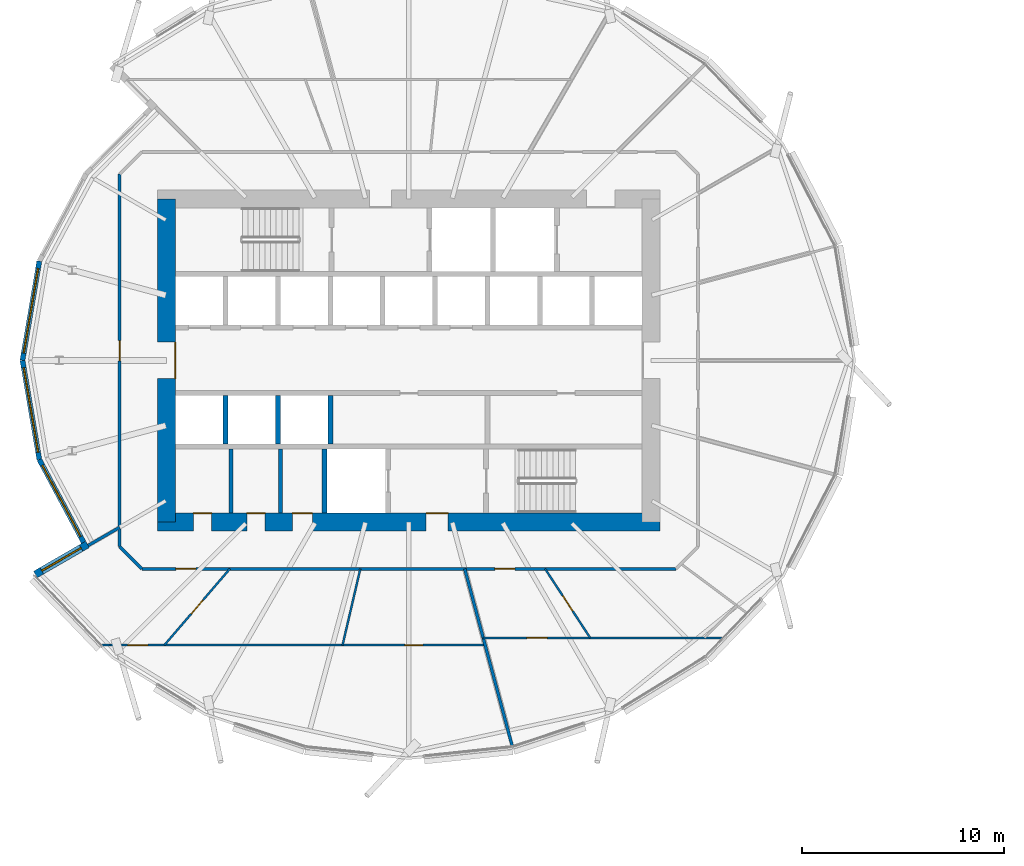
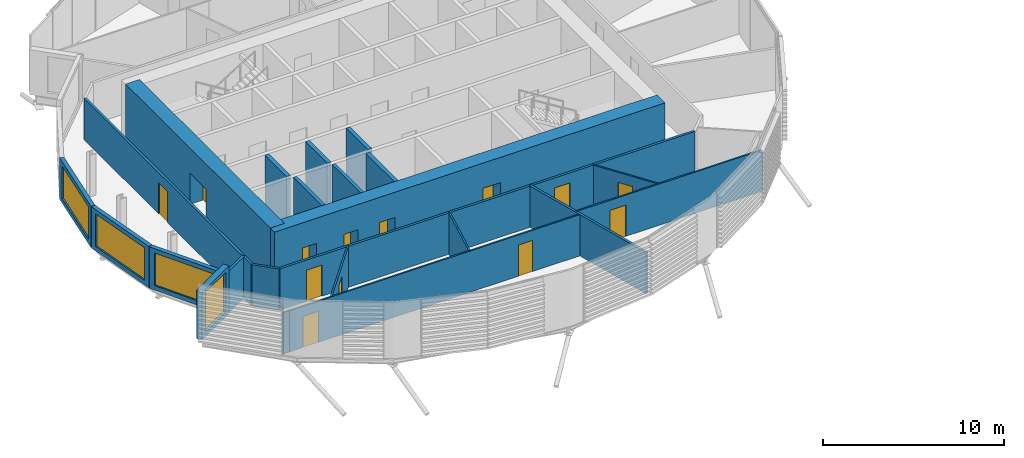
# One storey, part 19 of 36: 23 walls, 13 doors, 4 windows, 17 openings.
"""IFC4 building model written with IfcOpenShell, lengths in metres."""

from ifc_helpers import new_model, si_unit, direction, frame, frame_2d, origin, place, context, subcontext, project, spatial, rectangle, extrude, material, layer, layer_set, type_object, element, fill, save


model = new_model("IFC4")

# Units and contexts
model_context = context("Model", 3, precision=1e-05, world=origin(), true_north=direction((0.0, 1.0)))
body_context = subcontext(model_context, "Body", "Model", "MODEL_VIEW")
ifc_project = project(units=[si_unit("LENGTHUNIT", "METRE"), si_unit("AREAUNIT", "SQUARE_METRE"), si_unit("VOLUMEUNIT", "CUBIC_METRE"), si_unit("PLANEANGLEUNIT", "RADIAN"), si_unit("MASSUNIT", "GRAM", prefix="KILO")], contexts=[model_context])

# Site, building, storey
site_placement = place(None, origin())
site = spatial("IfcSite", under=ifc_project, at=site_placement, CompositionType="ELEMENT")
building_placement = place(site_placement, origin())
building = spatial("IfcBuilding", under=site, at=building_placement, Name="Rimbun Link Towers", CompositionType="ELEMENT")
storey_placement = place(building_placement, frame((0.0, 0.0, 37.60009765625)))
storey = spatial("IfcBuildingStorey", under=building, at=storey_placement, Name="L08", CompositionType="ELEMENT", Elevation=37.60009765625)

# Wall, opening, window
ifc_material_1 = material(Name="Dark enamelled glass spandrel on insulated aluminium backpan", Category="aluminium")
ifc_layer_1 = layer(ifc_material_1, 0.25)
ifc_layer_set_1 = layer_set([ifc_layer_1], Name="CS dark enamelled spandrel wall 250")
wall_type_1 = type_object("IfcWallType", Name="CS dark enamelled spandrel wall 250", PredefinedType="STANDARD", material=ifc_layer_set_1)
wall_1_placement = place(storey_placement, frame((-50.889404296875, 0.0, 0.0), z_axis=(0.0, 0.0, 1.0), x_axis=(0.167281745304, 0.985909132572, 0.0)))
wall_1 = element("IfcWall", 1, at=wall_1_placement, inside=storey, type_object=wall_type_1, Name="Crease spandrel wall", PredefinedType="STANDARD", context=body_context, shape_type="SweptSolid", body=[
    extrude(rectangle(XDim=4.984130859375, YDim=0.25, at=frame_2d((2.4921875, 0.0))), origin(), (0.0, 0.0, 1.0), 2.789306640625),
])
opening_1_placement = place(wall_1_placement, frame((0.366943359375, 0.0, 0.300048828125)))
opening_1 = element("IfcOpeningElement", 2, at=opening_1_placement, cuts=wall_1, Name="Opening WR42H220", PredefinedType="OPENING", context=body_context, shape_type="SweptSolid", body=[
    extrude(rectangle(XDim=4.25, YDim=2.199951171875, at=frame_2d((2.125, 1.10009765625))), frame((0.0, 0.135009765625, 0.0), z_axis=(0.0, -1.0, 0.0), x_axis=(1.0, 0.0, 0.0)), (0.0, 0.0, 1.0), 0.27001953125),
])
ifc_material_2 = material(Name="Aluminium framed fixed window, dark tinted low-e glass", Category="aluminium")
window_type_1 = type_object("IfcWindowType", Name="WR ribbon window 4250X2200", PartitioningType="SINGLE_PANEL", PredefinedType="WINDOW", material=ifc_material_2)
window_1_placement = place(opening_1_placement, origin())
window_1 = element("IfcWindow", 3, at=window_1_placement, inside=storey, type_object=window_type_1, Name="Crease ribbon window", OverallHeight=2.199951171875, OverallWidth=4.25, PartitioningType="SINGLE_PANEL", PredefinedType="WINDOW", context=body_context, shape_type="SweptSolid", body=[
    extrude(rectangle(XDim=4.25, YDim=2.199951171875, at=frame_2d((2.125, 1.10009765625))), frame((0.0, 0.030029296875, 0.0), z_axis=(0.0, -1.0, 0.0), x_axis=(1.0, 0.0, 0.0)), (0.0, 0.0, 1.0), 0.06005859375),
])
fill(opening_1, window_1)

wall_2_placement = place(storey_placement, frame((-50.0556640625, -4.913818359375, 0.0), z_axis=(0.0, 0.0, 1.0), x_axis=(-0.167281745304, 0.985909132572, 0.0)))
wall_2 = element("IfcWall", 4, at=wall_2_placement, inside=storey, type_object=wall_type_1, Name="Crease spandrel wall", PredefinedType="STANDARD", context=body_context, shape_type="SweptSolid", body=[
    extrude(rectangle(XDim=4.984130859375, YDim=0.25, at=frame_2d((2.4921875, 0.0))), origin(), (0.0, 0.0, 1.0), 2.789306640625),
])
opening_2_placement = place(wall_2_placement, frame((0.366943359375, 0.0, 0.300048828125)))
opening_2 = element("IfcOpeningElement", 5, at=opening_2_placement, cuts=wall_2, Name="Opening WR42H220", PredefinedType="OPENING", context=body_context, shape_type="SweptSolid", body=[
    extrude(rectangle(XDim=4.25, YDim=2.199951171875, at=frame_2d((2.125, 1.10009765625))), frame((0.0, 0.135009765625, 0.0), z_axis=(0.0, -1.0, 0.0), x_axis=(1.0, 0.0, 0.0)), (0.0, 0.0, 1.0), 0.27001953125),
])
window_2_placement = place(opening_2_placement, origin())
window_2 = element("IfcWindow", 6, at=window_2_placement, inside=storey, type_object=window_type_1, Name="Crease ribbon window", OverallHeight=2.199951171875, OverallWidth=4.25, PartitioningType="SINGLE_PANEL", PredefinedType="WINDOW", context=body_context, shape_type="SweptSolid", body=[
    extrude(rectangle(XDim=4.25, YDim=2.199951171875, at=frame_2d((2.125, 1.10009765625))), frame((0.0, 0.030029296875, 0.0), z_axis=(0.0, -1.0, 0.0), x_axis=(1.0, 0.0, 0.0)), (0.0, 0.0, 1.0), 0.06005859375),
])
fill(opening_2, window_2)

wall_3_placement = place(storey_placement, frame((-47.863037109375, -9.01416015625, 0.0), z_axis=(0.0, 0.0, 1.0), x_axis=(-0.471555405257, 0.881836435952, 0.0)))
wall_3 = element("IfcWall", 7, at=wall_3_placement, inside=storey, type_object=wall_type_1, Name="Crease spandrel wall", PredefinedType="STANDARD", context=body_context, shape_type="SweptSolid", body=[
    extrude(rectangle(XDim=4.649658203125, YDim=0.25, at=frame_2d((2.32470703125, 0.0))), origin(), (0.0, 0.0, 1.0), 2.789306640625),
])
opening_3_placement = place(wall_3_placement, frame((0.324951171875, 0.0, 0.300048828125)))
opening_3 = element("IfcOpeningElement", 8, at=opening_3_placement, cuts=wall_3, Name="Opening WR40H220", PredefinedType="OPENING", context=body_context, shape_type="SweptSolid", body=[
    extrude(rectangle(XDim=4.0, YDim=2.199951171875, at=frame_2d((2.0, 1.10009765625))), frame((0.0, 0.135009765625, 0.0), z_axis=(0.0, -1.0, 0.0), x_axis=(1.0, 0.0, 0.0)), (0.0, 0.0, 1.0), 0.27001953125),
])
ifc_material_3 = material(Name="Aluminium framed fixed window, dark tinted low-e glass", Category="aluminium")
window_type_2 = type_object("IfcWindowType", Name="WR ribbon window 4000X2200", PartitioningType="SINGLE_PANEL", PredefinedType="WINDOW", material=ifc_material_3)
window_3_placement = place(opening_3_placement, origin())
window_3 = element("IfcWindow", 9, at=window_3_placement, inside=storey, type_object=window_type_2, Name="Crease ribbon window", OverallHeight=2.199951171875, OverallWidth=4.0, PartitioningType="SINGLE_PANEL", PredefinedType="WINDOW", context=body_context, shape_type="SweptSolid", body=[
    extrude(rectangle(XDim=4.0, YDim=2.199951171875, at=frame_2d((2.0, 1.10009765625))), frame((0.0, 0.030029296875, 0.0), z_axis=(0.0, -1.0, 0.0), x_axis=(1.0, 0.0, 0.0)), (0.0, 0.0, 1.0), 0.06005859375),
])
fill(opening_3, window_3)

ifc_material_4 = material(Name="Dark enamelled glass spandrel on insulated aluminium backpan", Category="aluminium")
ifc_layer_2 = layer(ifc_material_4, 0.3701171875)
ifc_layer_set_2 = layer_set([ifc_layer_2], Name="CS dark enamelled spandrel wall 370")
wall_type_2 = type_object("IfcWallType", Name="CS dark enamelled spandrel wall 370", PredefinedType="STANDARD", material=ifc_layer_set_2)
wall_4_placement = place(storey_placement, frame((-50.25, -10.60595703125, 0.0), z_axis=(0.0, 0.0, 1.0), x_axis=(0.866031423615, 0.499989573202, 0.0)))
wall_4 = element("IfcWall", 10, at=wall_4_placement, inside=storey, type_object=wall_type_2, Name="Crease spandrel wall", PredefinedType="STANDARD", context=body_context, shape_type="SweptSolid", body=[
    extrude(rectangle(XDim=2.97998046875, YDim=0.3701171875, at=frame_2d((1.489990234375, 0.0))), origin(), (0.0, 0.0, 1.0), 3.223388671875),
])
opening_4_placement = place(wall_4_placement, frame((0.364990234375, 0.0, 0.300048828125)))
opening_4 = element("IfcOpeningElement", 11, at=opening_4_placement, cuts=wall_4, Name="Opening WR22H270", PredefinedType="OPENING", context=body_context, shape_type="SweptSolid", body=[
    extrude(rectangle(XDim=2.25, YDim=2.699951171875, at=frame_2d((1.125, 1.35009765625))), frame((0.0, 0.195068359375, 0.0), z_axis=(0.0, -1.0, 0.0), x_axis=(1.0, 0.0, 0.0)), (0.0, 0.0, 1.0), 0.39013671875),
])
ifc_material_5 = material(Name="Aluminium framed fixed window, dark tinted low-e glass", Category="aluminium")
window_type_3 = type_object("IfcWindowType", Name="WR ribbon window 2250X2700", PartitioningType="SINGLE_PANEL", PredefinedType="WINDOW", material=ifc_material_5)
window_4_placement = place(opening_4_placement, origin())
window_4 = element("IfcWindow", 12, at=window_4_placement, inside=storey, type_object=window_type_3, Name="Crease ribbon window", OverallHeight=2.699951171875, OverallWidth=2.25, PartitioningType="SINGLE_PANEL", PredefinedType="WINDOW", context=body_context, shape_type="SweptSolid", body=[
    extrude(rectangle(XDim=2.25, YDim=2.699951171875, at=frame_2d((1.125, 1.35009765625))), frame((0.0, 0.030029296875, 0.0), z_axis=(0.0, -1.0, 0.0), x_axis=(1.0, 0.0, 0.0)), (0.0, 0.0, 1.0), 0.06005859375),
])
fill(opening_4, window_4)

# Walls
ifc_material_6 = material(Name="Masonry blockwork", Category="masonry")
ifc_layer_3 = layer(ifc_material_6, 0.199951171875)
ifc_layer_set_3 = layer_set([ifc_layer_3], Name="Core partition 200")
wall_type_3 = type_object("IfcWallType", Name="Core partition 200", PredefinedType="PARTITIONING", material=ifc_layer_set_3)
for number, where, z_axis, x_axis, name in (
    (13, (-40.550048828125, -4.39990234375, 0.0), (0.0, 0.0, 1.0), (0.0, -1.0, 0.0), "L08 T1 core wall C1"),
    (14, (-38.10009765625, -4.39990234375, 0.0), (0.0, 0.0, 1.0), (0.0, -1.0, 0.0), "L08 T1 core wall C2"),
):
    element("IfcWall", number, at=place(storey_placement, frame(where, z_axis=z_axis, x_axis=x_axis)), inside=storey, type_object=wall_type_3, Name=name, PredefinedType="PARTITIONING", context=body_context, shape_type="SweptSolid", body=[
        extrude(rectangle(XDim=3.150146484375, YDim=0.199951171875, at=frame_2d((1.5751953125, 0.0))), origin(), (0.0, 0.0, 1.0), 3.7998046875),
    ])

# Wall, openings, doors
ifc_material_7 = material(Name="Concrete C60/75", Category="concrete")
ifc_layer_4 = layer(ifc_material_7, 0.89990234375)
ifc_layer_set_4 = layer_set([ifc_layer_4], Name="Core shear wall 900")
wall_type_4 = type_object("IfcWallType", Name="Core shear wall 900", PredefinedType="SHEAR", material=ifc_layer_set_4)
wall_5_placement = place(storey_placement, frame((-44.199951171875, -8.0, 0.0), z_axis=(0.0, 0.0, 1.0), x_axis=(1.0, 0.0, 0.0)))
wall_5 = element("IfcWall", 15, at=wall_5_placement, inside=storey, type_object=wall_type_4, Name="L08 T1 core wall S", PredefinedType="SHEAR", context=body_context, shape_type="SweptSolid", body=[
    extrude(rectangle(XDim=24.89990234375, YDim=0.89990234375, at=frame_2d((12.449951171875, 0.0))), origin(), (0.0, 0.0, 1.0), 3.7998046875),
])
opening_5_placement = place(wall_5_placement, frame((13.300048828125, 0.0, 0.0)))
opening_5 = element("IfcOpeningElement", 16, at=opening_5_placement, cuts=wall_5, Name="Opening C1DCF01S", PredefinedType="OPENING", context=body_context, shape_type="SweptSolid", body=[
    extrude(rectangle(XDim=1.10009765625, YDim=2.10009765625, at=frame_2d((0.550048828125, 1.050048828125))), frame((0.0, 0.4599609375, 0.0), z_axis=(0.0, -1.0, 0.0), x_axis=(1.0, 0.0, 0.0)), (0.0, 0.0, 1.0), 0.919921875),
])
opening_6_placement = place(wall_5_placement, frame((1.77490234375, 0.0, 0.0)))
opening_6 = element("IfcOpeningElement", 17, at=opening_6_placement, cuts=wall_5, Name="Opening C1DWC02S", PredefinedType="OPENING", context=body_context, shape_type="SweptSolid", body=[
    extrude(rectangle(XDim=0.89990234375, YDim=2.10009765625, at=frame_2d((0.449951171875, 1.050048828125))), frame((0.0, 0.4599609375, 0.0), z_axis=(0.0, -1.0, 0.0), x_axis=(1.0, 0.0, 0.0)), (0.0, 0.0, 1.0), 0.919921875),
])
opening_7_placement = place(wall_5_placement, frame((4.425048828125, 0.0, 0.0)))
opening_7 = element("IfcOpeningElement", 18, at=opening_7_placement, cuts=wall_5, Name="Opening C1DWC03S", PredefinedType="OPENING", context=body_context, shape_type="SweptSolid", body=[
    extrude(rectangle(XDim=0.89990234375, YDim=2.10009765625, at=frame_2d((0.449951171875, 1.050048828125))), frame((0.0, 0.4599609375, 0.0), z_axis=(0.0, -1.0, 0.0), x_axis=(1.0, 0.0, 0.0)), (0.0, 0.0, 1.0), 0.919921875),
])
opening_8_placement = place(wall_5_placement, frame((6.675048828125, 0.0, 0.0)))
opening_8 = element("IfcOpeningElement", 19, at=opening_8_placement, cuts=wall_5, Name="Opening C1DAW04S", PredefinedType="OPENING", context=body_context, shape_type="SweptSolid", body=[
    extrude(rectangle(XDim=1.0, YDim=2.10009765625, at=frame_2d((0.5, 1.050048828125))), frame((0.0, 0.4599609375, 0.0), z_axis=(0.0, -1.0, 0.0), x_axis=(1.0, 0.0, 0.0)), (0.0, 0.0, 1.0), 0.919921875),
])
ifc_material_8 = material(Name="Timber", Category="wood")
door_type_1 = type_object("IfcDoorType", Name="Accessible WC door", OperationType="SINGLE_SWING_LEFT", PredefinedType="DOOR", material=ifc_material_8)
door_1_placement = place(opening_8_placement, origin())
door_1 = element("IfcDoor", 20, at=door_1_placement, inside=storey, type_object=door_type_1, Name="L08 T1 accessible wc door", OperationType="SINGLE_SWING_LEFT", OverallHeight=2.10009765625, OverallWidth=1.0, PredefinedType="DOOR", context=body_context, shape_type="SweptSolid", body=[
    extrude(rectangle(XDim=1.0, YDim=2.10009765625, at=frame_2d((0.5, 1.050048828125))), frame((0.0, 0.4501953125, 0.0), z_axis=(0.0, -1.0, 0.0), x_axis=(1.0, 0.0, 0.0)), (0.0, 0.0, 1.0), 0.050048828125),
])
fill(opening_8, door_1)
ifc_material_9 = material(Name="Steel fire door set", Category="steel")
door_type_2 = type_object("IfcDoorType", Name="Core fire door single", OperationType="SINGLE_SWING_LEFT", PredefinedType="DOOR", material=ifc_material_9)
door_2_placement = place(opening_5_placement, origin())
door_2 = element("IfcDoor", 21, at=door_2_placement, inside=storey, type_object=door_type_2, Name="L08 T1 firefighting lobby s door", OperationType="SINGLE_SWING_RIGHT", OverallHeight=2.10009765625, OverallWidth=1.10009765625, PredefinedType="DOOR", context=body_context, shape_type="SweptSolid", body=[
    extrude(rectangle(XDim=1.10009765625, YDim=2.10009765625, at=frame_2d((0.550048828125, 1.050048828125))), frame((0.0, 0.4501953125, 0.0), z_axis=(0.0, -1.0, 0.0), x_axis=(1.0, 0.0, 0.0)), (0.0, 0.0, 1.0), 0.050048828125),
])
fill(opening_5, door_2)
ifc_material_10 = material(Name="Timber", Category="wood")
door_type_3 = type_object("IfcDoorType", Name="WC door", OperationType="SINGLE_SWING_LEFT", PredefinedType="DOOR", material=ifc_material_10)
door_3_placement = place(opening_6_placement, origin())
door_3 = element("IfcDoor", 22, at=door_3_placement, inside=storey, type_object=door_type_3, Name="L08 T1 male wc door", OperationType="SINGLE_SWING_RIGHT", OverallHeight=2.10009765625, OverallWidth=0.89990234375, PredefinedType="DOOR", context=body_context, shape_type="SweptSolid", body=[
    extrude(rectangle(XDim=0.89990234375, YDim=2.10009765625, at=frame_2d((0.449951171875, 1.050048828125))), frame((0.0, 0.4501953125, 0.0), z_axis=(0.0, -1.0, 0.0), x_axis=(1.0, 0.0, 0.0)), (0.0, 0.0, 1.0), 0.050048828125),
])
fill(opening_6, door_3)
door_4_placement = place(opening_7_placement, origin())
door_4 = element("IfcDoor", 23, at=door_4_placement, inside=storey, type_object=door_type_3, Name="L08 T1 female wc door", OperationType="SINGLE_SWING_RIGHT", OverallHeight=2.10009765625, OverallWidth=0.89990234375, PredefinedType="DOOR", context=body_context, shape_type="SweptSolid", body=[
    extrude(rectangle(XDim=0.89990234375, YDim=2.10009765625, at=frame_2d((0.449951171875, 1.050048828125))), frame((0.0, 0.4501953125, 0.0), z_axis=(0.0, -1.0, 0.0), x_axis=(1.0, 0.0, 0.0)), (0.0, 0.0, 1.0), 0.050048828125),
])
fill(opening_7, door_4)

# Wall, opening, door
wall_6_placement = place(storey_placement, frame((-43.75, -8.0, 0.0), z_axis=(0.0, 0.0, 1.0), x_axis=(0.0, 1.0, 0.0)))
wall_6 = element("IfcWall", 24, at=wall_6_placement, inside=storey, type_object=wall_type_4, Name="L08 T1 core wall W", PredefinedType="SHEAR", context=body_context, shape_type="SweptSolid", body=[
    extrude(rectangle(XDim=16.0, YDim=0.89990234375, at=frame_2d((8.0, 0.0))), origin(), (0.0, 0.0, 1.0), 3.7998046875),
])
opening_9_placement = place(wall_6_placement, frame((7.10009765625, 0.0, 0.0)))
opening_9 = element("IfcOpeningElement", 25, at=opening_9_placement, cuts=wall_6, Name="Opening C1DCL01W", PredefinedType="OPENING", context=body_context, shape_type="SweptSolid", body=[
    extrude(rectangle(XDim=1.800048828125, YDim=2.10009765625, at=frame_2d((0.89990234375, 1.050048828125))), frame((0.0, 0.4599609375, 0.0), z_axis=(0.0, -1.0, 0.0), x_axis=(1.0, 0.0, 0.0)), (0.0, 0.0, 1.0), 0.919921875),
])
ifc_material_11 = material(Name="Steel fire door set", Category="steel")
door_type_4 = type_object("IfcDoorType", Name="Core lobby door double", OperationType="DOUBLE_DOOR_SINGLE_SWING", PredefinedType="DOOR", material=ifc_material_11)
door_5_placement = place(opening_9_placement, origin())
door_5 = element("IfcDoor", 26, at=door_5_placement, inside=storey, type_object=door_type_4, Name="L08 T1 lift lobby door", OperationType="DOUBLE_DOOR_SINGLE_SWING", OverallHeight=2.10009765625, OverallWidth=1.800048828125, PredefinedType="DOOR", context=body_context, shape_type="SweptSolid", body=[
    extrude(rectangle(XDim=1.800048828125, YDim=2.10009765625, at=frame_2d((0.89990234375, 1.050048828125))), frame((0.0, -0.39990234375, 0.0), z_axis=(0.0, -1.0, 0.0), x_axis=(1.0, 0.0, 0.0)), (0.0, 0.0, 1.0), 0.050048828125),
])
fill(opening_9, door_5)

# Wall, openings, doors
ifc_material_12 = material(Name="Plasterboard on steel stud, mineral wool", Category="steel")
ifc_layer_5 = layer(ifc_material_12, 0.14990234375)
ifc_layer_set_5 = layer_set([ifc_layer_5], Name="Corridor wall EI 30 150 mm")
wall_type_5 = type_object("IfcWallType", Name="Corridor wall EI 30 150 mm", PredefinedType="PARTITIONING", material=ifc_layer_set_5)
wall_7_placement = place(storey_placement, frame((-18.523193359375, -10.324951171875, 0.0), z_axis=(0.0, 0.0, 1.0), x_axis=(-1.0, 0.0, 0.0)))
wall_7 = element("IfcWall", 27, at=wall_7_placement, inside=storey, type_object=wall_type_5, Name="Corridor wall EI 30 150 mm", PredefinedType="PARTITIONING", context=body_context, shape_type="SweptSolid", body=[
    extrude(rectangle(XDim=26.45361328125, YDim=0.14990234375, at=frame_2d((13.226806640625, 0.0))), origin(), (0.0, 0.0, 1.0), 2.77880859375),
])
opening_10_placement = place(wall_7_placement, frame((23.77294921875, 0.0, 0.0)))
opening_10 = element("IfcOpeningElement", 28, at=opening_10_placement, cuts=wall_7, Name="Opening D01", PredefinedType="OPENING", context=body_context, shape_type="SweptSolid", body=[
    extrude(rectangle(XDim=1.0, YDim=2.10009765625, at=frame_2d((0.5, 1.050048828125))), frame((0.0, 0.0849609375, 0.0), z_axis=(0.0, -1.0, 0.0), x_axis=(1.0, 0.0, 0.0)), (0.0, 0.0, 1.0), 0.169921875),
])
opening_11_placement = place(wall_7_placement, frame((7.9697265625, 0.0, 0.0)))
opening_11 = element("IfcOpeningElement", 29, at=opening_11_placement, cuts=wall_7, Name="Opening D01", PredefinedType="OPENING", context=body_context, shape_type="SweptSolid", body=[
    extrude(rectangle(XDim=1.0, YDim=2.10009765625, at=frame_2d((0.5, 1.050048828125))), frame((0.0, 0.0849609375, 0.0), z_axis=(0.0, -1.0, 0.0), x_axis=(1.0, 0.0, 0.0)), (0.0, 0.0, 1.0), 0.169921875),
])
ifc_material_13 = material(Name="Fire-resisting timber door leaf", Category="wood")
door_type_5 = type_object("IfcDoorType", Name="Fire door FD30S 1000", OperationType="NOTDEFINED", PredefinedType="DOOR", material=ifc_material_13)
door_6_placement = place(opening_10_placement, origin())
door_6 = element("IfcDoor", 30, at=door_6_placement, inside=storey, type_object=door_type_5, Name="Fire door FD30S 1000 to Customer lobby", OperationType="SINGLE_SWING_LEFT", OverallHeight=2.10009765625, OverallWidth=1.0, PredefinedType="DOOR", context=body_context, shape_type="SweptSolid", body=[
    extrude(rectangle(XDim=1.0, YDim=2.10009765625, at=frame_2d((0.5, 1.050048828125))), frame((0.0, 0.02490234375, 0.0), z_axis=(0.0, -1.0, 0.0), x_axis=(1.0, 0.0, 0.0)), (0.0, 0.0, 1.0), 0.050048828125),
])
fill(opening_10, door_6)
door_7_placement = place(opening_11_placement, origin())
door_7 = element("IfcDoor", 31, at=door_7_placement, inside=storey, type_object=door_type_5, Name="Fire door FD30S 1000 to Reception", OperationType="SINGLE_SWING_RIGHT", OverallHeight=2.10009765625, OverallWidth=1.0, PredefinedType="DOOR", context=body_context, shape_type="SweptSolid", body=[
    extrude(rectangle(XDim=1.0, YDim=2.10009765625, at=frame_2d((0.5, 1.050048828125))), frame((0.0, 0.02490234375, 0.0), z_axis=(0.0, -1.0, 0.0), x_axis=(1.0, 0.0, 0.0)), (0.0, 0.0, 1.0), 0.050048828125),
])
fill(opening_11, door_7)

# Wall
wall_8_placement = place(storey_placement, frame((-46.074951171875, -9.226806640625, 0.0), z_axis=(0.0, 0.0, 1.0), x_axis=(0.707106781187, -0.707106781187, 0.0)))
element("IfcWall", 32, at=wall_8_placement, inside=storey, type_object=wall_type_5, Name="Corridor wall EI 30 150 mm", PredefinedType="PARTITIONING", context=body_context, shape_type="SweptSolid", body=[
    extrude(rectangle(XDim=1.552978515625, YDim=0.14990234375, at=frame_2d((0.7763671875, 0.0))), origin(), (0.0, 0.0, 1.0), 2.77880859375),
])

# Wall, opening, door
wall_9_placement = place(storey_placement, frame((-46.074951171875, -9.226806640625, 0.0), z_axis=(0.0, 0.0, 1.0), x_axis=(0.0, 1.0, 0.0)))
wall_9 = element("IfcWall", 33, at=wall_9_placement, inside=storey, type_object=wall_type_5, Name="Corridor wall EI 30 150 mm", PredefinedType="PARTITIONING", context=body_context, shape_type="SweptSolid", body=[
    extrude(rectangle(XDim=18.45361328125, YDim=0.14990234375, at=frame_2d((9.226806640625, 0.0))), origin(), (0.0, 0.0, 1.0), 2.77880859375),
])
opening_12_placement = place(wall_9_placement, frame((9.204833984375, 0.0, 0.0)))
opening_12 = element("IfcOpeningElement", 34, at=opening_12_placement, cuts=wall_9, Name="Opening D01", PredefinedType="OPENING", context=body_context, shape_type="SweptSolid", body=[
    extrude(rectangle(XDim=1.0, YDim=2.10009765625, at=frame_2d((0.5, 1.050048828125))), frame((0.0, 0.0849609375, 0.0), z_axis=(0.0, -1.0, 0.0), x_axis=(1.0, 0.0, 0.0)), (0.0, 0.0, 1.0), 0.169921875),
])
door_8_placement = place(opening_12_placement, origin())
door_8 = element("IfcDoor", 35, at=door_8_placement, inside=storey, type_object=door_type_5, Name="Fire door FD30S 1000 to Terrace office", OperationType="SINGLE_SWING_LEFT", OverallHeight=2.10009765625, OverallWidth=1.0, PredefinedType="DOOR", context=body_context, shape_type="SweptSolid", body=[
    extrude(rectangle(XDim=1.0, YDim=2.10009765625, at=frame_2d((0.5, 1.050048828125))), frame((0.0, 0.02490234375, 0.0), z_axis=(0.0, -1.0, 0.0), x_axis=(1.0, 0.0, 0.0)), (0.0, 0.0, 1.0), 0.050048828125),
])
fill(opening_12, door_8)

ifc_material_14 = material(Name="Plasterboard on steel stud", Category="steel")
ifc_layer_6 = layer(ifc_material_14, 0.10009765625)
ifc_layer_set_6 = layer_set([ifc_layer_6], Name="Plasterboard partition 100 mm")
wall_type_6 = type_object("IfcWallType", Name="Plasterboard partition 100 mm", PredefinedType="PARTITIONING", material=ifc_layer_set_6)
wall_10_placement = place(storey_placement, frame((-40.615966796875, -10.324951171875, 0.0), z_axis=(0.0, 0.0, 1.0), x_axis=(-0.651465021592, -0.758678670876, 0.0)))
wall_10 = element("IfcWall", 36, at=wall_10_placement, inside=storey, type_object=wall_type_6, Name="Plasterboard partition 100 mm", PredefinedType="PARTITIONING", context=body_context, shape_type="SweptSolid", body=[
    extrude(rectangle(XDim=4.982421875, YDim=0.10009765625, at=frame_2d((2.4912109375, 0.0))), origin(), (0.0, 0.0, 1.0), 2.77880859375),
])
opening_13_placement = place(wall_10_placement, frame((2.041015625, 0.0, 0.0)))
opening_13 = element("IfcOpeningElement", 37, at=opening_13_placement, cuts=wall_10, Name="Opening D04", PredefinedType="OPENING", context=body_context, shape_type="SweptSolid", body=[
    extrude(rectangle(XDim=0.89990234375, YDim=2.10009765625, at=frame_2d((0.449951171875, 1.050048828125))), frame((0.0, 0.06005859375, 0.0), z_axis=(0.0, -1.0, 0.0), x_axis=(1.0, 0.0, 0.0)), (0.0, 0.0, 1.0), 0.1201171875),
])
ifc_material_15 = material(Name="Timber door leaf", Category="wood")
door_type_6 = type_object("IfcDoorType", Name="Flush door 900", OperationType="NOTDEFINED", PredefinedType="DOOR", material=ifc_material_15)
door_9_placement = place(opening_13_placement, origin())
door_9 = element("IfcDoor", 38, at=door_9_placement, inside=storey, type_object=door_type_6, Name="Flush door 900 to Interview room", OperationType="SINGLE_SWING_RIGHT", OverallHeight=2.10009765625, OverallWidth=0.89990234375, PredefinedType="DOOR", context=body_context, shape_type="SweptSolid", body=[
    extrude(rectangle(XDim=0.89990234375, YDim=2.10009765625, at=frame_2d((0.449951171875, 1.050048828125))), frame((0.0, 0.02490234375, 0.0), z_axis=(0.0, -1.0, 0.0), x_axis=(1.0, 0.0, 0.0)), (0.0, 0.0, 1.0), 0.050048828125),
])
fill(opening_13, door_9)

# Wall, openings, doors
wall_11_placement = place(storey_placement, frame((-27.970703125, -14.10498046875, 0.0), z_axis=(0.0, 0.0, 1.0), x_axis=(-1.0, 0.0, 0.0)))
wall_11 = element("IfcWall", 39, at=wall_11_placement, inside=storey, type_object=wall_type_6, Name="Plasterboard partition 100 mm", PredefinedType="PARTITIONING", context=body_context, shape_type="SweptSolid", body=[
    extrude(rectangle(XDim=18.57177734375, YDim=0.10009765625, at=frame_2d((9.285888671875, 0.0))), origin(), (0.0, 0.0, 1.0), 2.77880859375),
])
opening_14_placement = place(wall_11_placement, frame((16.711669921875, 0.0, 0.0)))
opening_14 = element("IfcOpeningElement", 40, at=opening_14_placement, cuts=wall_11, Name="Opening D03", PredefinedType="OPENING", context=body_context, shape_type="SweptSolid", body=[
    extrude(rectangle(XDim=1.0, YDim=2.10009765625, at=frame_2d((0.5, 1.050048828125))), frame((0.0, 0.06005859375, 0.0), z_axis=(0.0, -1.0, 0.0), x_axis=(1.0, 0.0, 0.0)), (0.0, 0.0, 1.0), 0.1201171875),
])
opening_15_placement = place(wall_11_placement, frame((3.082275390625, 0.0, 0.0)))
opening_15 = element("IfcOpeningElement", 41, at=opening_15_placement, cuts=wall_11, Name="Opening D04", PredefinedType="OPENING", context=body_context, shape_type="SweptSolid", body=[
    extrude(rectangle(XDim=0.89990234375, YDim=2.10009765625, at=frame_2d((0.449951171875, 1.050048828125))), frame((0.0, 0.06005859375, 0.0), z_axis=(0.0, -1.0, 0.0), x_axis=(1.0, 0.0, 0.0)), (0.0, 0.0, 1.0), 0.1201171875),
])
ifc_material_16 = material(Name="Timber door leaf", Category="wood")
door_type_7 = type_object("IfcDoorType", Name="Flush door 1000", OperationType="NOTDEFINED", PredefinedType="DOOR", material=ifc_material_16)
door_10_placement = place(opening_14_placement, origin())
door_10 = element("IfcDoor", 42, at=door_10_placement, inside=storey, type_object=door_type_7, Name="Flush door 1000 to Banking hall", OperationType="SINGLE_SWING_LEFT", OverallHeight=2.10009765625, OverallWidth=1.0, PredefinedType="DOOR", context=body_context, shape_type="SweptSolid", body=[
    extrude(rectangle(XDim=1.0, YDim=2.10009765625, at=frame_2d((0.5, 1.050048828125))), frame((0.0, 0.02490234375, 0.0), z_axis=(0.0, -1.0, 0.0), x_axis=(1.0, 0.0, 0.0)), (0.0, 0.0, 1.0), 0.050048828125),
])
fill(opening_14, door_10)
door_11_placement = place(opening_15_placement, origin())
door_11 = element("IfcDoor", 43, at=door_11_placement, inside=storey, type_object=door_type_6, Name="Flush door 900 to Strong room", OperationType="SINGLE_SWING_LEFT", OverallHeight=2.10009765625, OverallWidth=0.89990234375, PredefinedType="DOOR", context=body_context, shape_type="SweptSolid", body=[
    extrude(rectangle(XDim=0.89990234375, YDim=2.10009765625, at=frame_2d((0.449951171875, 1.050048828125))), frame((0.0, 0.02490234375, 0.0), z_axis=(0.0, -1.0, 0.0), x_axis=(1.0, 0.0, 0.0)), (0.0, 0.0, 1.0), 0.050048828125),
])
fill(opening_15, door_11)

# Walls
wall_12_placement = place(storey_placement, frame((-46.943603515625, -14.10498046875, 0.0), z_axis=(0.0, 0.0, 1.0), x_axis=(1.0, 0.0, 0.0)))
element("IfcWall", 44, at=wall_12_placement, inside=storey, type_object=wall_type_6, Name="Plasterboard partition 100 mm", PredefinedType="PARTITIONING", context=body_context, shape_type="SweptSolid", body=[
    extrude(rectangle(XDim=0.401123046875, YDim=0.10009765625, at=frame_2d((0.20068359375, 0.0))), origin(), (0.0, 0.0, 1.0), 2.77880859375),
])
wall_13_placement = place(storey_placement, frame((-35.034912109375, -14.10498046875, 0.0), z_axis=(0.0, 0.0, 1.0), x_axis=(0.226829904255, 0.973934389236, 0.0)))
element("IfcWall", 45, at=wall_13_placement, inside=storey, type_object=wall_type_6, Name="Plasterboard partition 100 mm", PredefinedType="PARTITIONING", context=body_context, shape_type="SweptSolid", body=[
    extrude(rectangle(XDim=3.881103515625, YDim=0.10009765625, at=frame_2d((1.9404296875, 0.0))), origin(), (0.0, 0.0, 1.0), 2.77880859375),
])

# Wall, opening, door
wall_14_placement = place(storey_placement, frame((-25.002685546875, -10.324951171875, 0.0), z_axis=(0.0, 0.0, 1.0), x_axis=(0.547051322279, -0.837099068685, 0.0)))
wall_14 = element("IfcWall", 46, at=wall_14_placement, inside=storey, type_object=wall_type_6, Name="Plasterboard partition 100 mm", PredefinedType="PARTITIONING", context=body_context, shape_type="SweptSolid", body=[
    extrude(rectangle(XDim=4.085693359375, YDim=0.10009765625, at=frame_2d((2.04296875, 0.0))), origin(), (0.0, 0.0, 1.0), 2.77880859375),
])
opening_16_placement = place(wall_14_placement, frame((1.5927734375, 0.0, 0.0)))
opening_16 = element("IfcOpeningElement", 47, at=opening_16_placement, cuts=wall_14, Name="Opening D04", PredefinedType="OPENING", context=body_context, shape_type="SweptSolid", body=[
    extrude(rectangle(XDim=0.89990234375, YDim=2.10009765625, at=frame_2d((0.449951171875, 1.050048828125))), frame((0.0, 0.06005859375, 0.0), z_axis=(0.0, -1.0, 0.0), x_axis=(1.0, 0.0, 0.0)), (0.0, 0.0, 1.0), 0.1201171875),
])
door_12_placement = place(opening_16_placement, origin())
door_12 = element("IfcDoor", 48, at=door_12_placement, inside=storey, type_object=door_type_6, Name="Flush door 900 to Meeting room", OperationType="SINGLE_SWING_RIGHT", OverallHeight=2.10009765625, OverallWidth=0.89990234375, PredefinedType="DOOR", context=body_context, shape_type="SweptSolid", body=[
    extrude(rectangle(XDim=0.89990234375, YDim=2.10009765625, at=frame_2d((0.449951171875, 1.050048828125))), frame((0.0, 0.02490234375, 0.0), z_axis=(0.0, -1.0, 0.0), x_axis=(1.0, 0.0, 0.0)), (0.0, 0.0, 1.0), 0.050048828125),
])
fill(opening_16, door_12)

wall_15_placement = place(storey_placement, frame((-16.1962890625, -13.7451171875, 0.0), z_axis=(0.0, 0.0, 1.0), x_axis=(-1.0, 0.0, 0.0)))
wall_15 = element("IfcWall", 49, at=wall_15_placement, inside=storey, type_object=wall_type_6, Name="Plasterboard partition 100 mm", PredefinedType="PARTITIONING", context=body_context, shape_type="SweptSolid", body=[
    extrude(rectangle(XDim=11.87060546875, YDim=0.10009765625, at=frame_2d((5.935302734375, 0.0))), origin(), (0.0, 0.0, 1.0), 2.77880859375),
])
opening_17_placement = place(wall_15_placement, frame((8.706298828125, 0.0, 0.0)))
opening_17 = element("IfcOpeningElement", 50, at=opening_17_placement, cuts=wall_15, Name="Opening D03", PredefinedType="OPENING", context=body_context, shape_type="SweptSolid", body=[
    extrude(rectangle(XDim=1.0, YDim=2.10009765625, at=frame_2d((0.5, 1.050048828125))), frame((0.0, 0.06005859375, 0.0), z_axis=(0.0, -1.0, 0.0), x_axis=(1.0, 0.0, 0.0)), (0.0, 0.0, 1.0), 0.1201171875),
])
door_13_placement = place(opening_17_placement, origin())
door_13 = element("IfcDoor", 51, at=door_13_placement, inside=storey, type_object=door_type_7, Name="Flush door 1000 to Open office", OperationType="SINGLE_SWING_LEFT", OverallHeight=2.10009765625, OverallWidth=1.0, PredefinedType="DOOR", context=body_context, shape_type="SweptSolid", body=[
    extrude(rectangle(XDim=1.0, YDim=2.10009765625, at=frame_2d((0.5, 1.050048828125))), frame((0.0, 0.02490234375, 0.0), z_axis=(0.0, -1.0, 0.0), x_axis=(1.0, 0.0, 0.0)), (0.0, 0.0, 1.0), 0.050048828125),
])
fill(opening_17, door_13)

# Walls
ifc_material_17 = material(Name="Concrete C60/75", Category="concrete")
ifc_layer_7 = layer(ifc_material_17, 0.25)
ifc_layer_set_7 = layer_set([ifc_layer_7], Name="Shaft wall 250")
wall_type_7 = type_object("IfcWallType", Name="Shaft wall 250", PredefinedType="SHEAR", material=ifc_layer_set_7)
for number, where, z_axis, x_axis, name in (
    (52, (-40.83056640625, -4.14990234375, 0.0), (0.0, 0.0, 1.0), (0.0, 1.0, 0.0), "L08 T1 core wall DS0"),
    (53, (-38.236083984375, -4.14990234375, 0.0), (0.0, 0.0, 1.0), (0.0, 1.0, 0.0), "L08 T1 core wall DS1"),
    (54, (-35.6416015625, -4.14990234375, 0.0), (0.0, 0.0, 1.0), (0.0, 1.0, 0.0), "L08 T1 core wall DS2"),
):
    element("IfcWall", number, at=place(storey_placement, frame(where, z_axis=z_axis, x_axis=x_axis)), inside=storey, type_object=wall_type_7, Name=name, PredefinedType="SHEAR", context=body_context, shape_type="SweptSolid", body=[
        extrude(rectangle(XDim=2.39990234375, YDim=0.25, at=frame_2d((1.199951171875, 0.0))), origin(), (0.0, 0.0, 1.0), 3.7998046875),
    ])
wall_16_placement = place(storey_placement, frame((-35.925048828125, -4.39990234375, 0.0), z_axis=(0.0, 0.0, 1.0), x_axis=(0.0, -1.0, 0.0)))
element("IfcWall", 55, at=wall_16_placement, inside=storey, type_object=wall_type_7, Name="L08 T1 core wall B3", PredefinedType="SHEAR", context=body_context, shape_type="SweptSolid", body=[
    extrude(rectangle(XDim=3.150146484375, YDim=0.25, at=frame_2d((1.5751953125, 0.0))), origin(), (0.0, 0.0, 1.0), 3.7998046875),
])
ifc_material_18 = material(Name="Plasterboard on steel stud, mineral wool", Category="steel")
ifc_layer_8 = layer(ifc_material_18, 0.14990234375)
ifc_layer_set_8 = layer_set([ifc_layer_8], Name="Tenancy separation wall EI 60 150 mm")
wall_type_8 = type_object("IfcWallType", Name="Tenancy separation wall EI 60 150 mm", PredefinedType="PARTITIONING", material=ifc_layer_set_8)
wall_17_placement = place(storey_placement, frame((-46.074951171875, -8.2705078125, 0.0), z_axis=(0.0, 0.0, 1.0), x_axis=(-0.866043556948, -0.499968556481, 0.0)))
element("IfcWall", 56, at=wall_17_placement, inside=storey, type_object=wall_type_8, Name="Tenancy separation wall EI 60 150 mm", PredefinedType="PARTITIONING", context=body_context, shape_type="SweptSolid", body=[
    extrude(rectangle(XDim=1.80322265625, YDim=0.14990234375, at=frame_2d((0.901611328125, 0.0))), origin(), (0.0, 0.0, 1.0), 2.77880859375),
])
wall_18_placement = place(storey_placement, frame((-28.9833984375, -10.324951171875, 0.0), z_axis=(0.0, 0.0, 1.0), x_axis=(0.258819676528, -0.965925657099, 0.0)))
element("IfcWall", 57, at=wall_18_placement, inside=storey, type_object=wall_type_8, Name="Tenancy separation wall EI 60 150 mm", PredefinedType="PARTITIONING", context=body_context, shape_type="SweptSolid", body=[
    extrude(rectangle(XDim=9.099853515625, YDim=0.14990234375, at=frame_2d((4.5498046875, 0.0))), origin(), (0.0, 0.0, 1.0), 2.77880859375),
])

save(model, "model.ifc")
